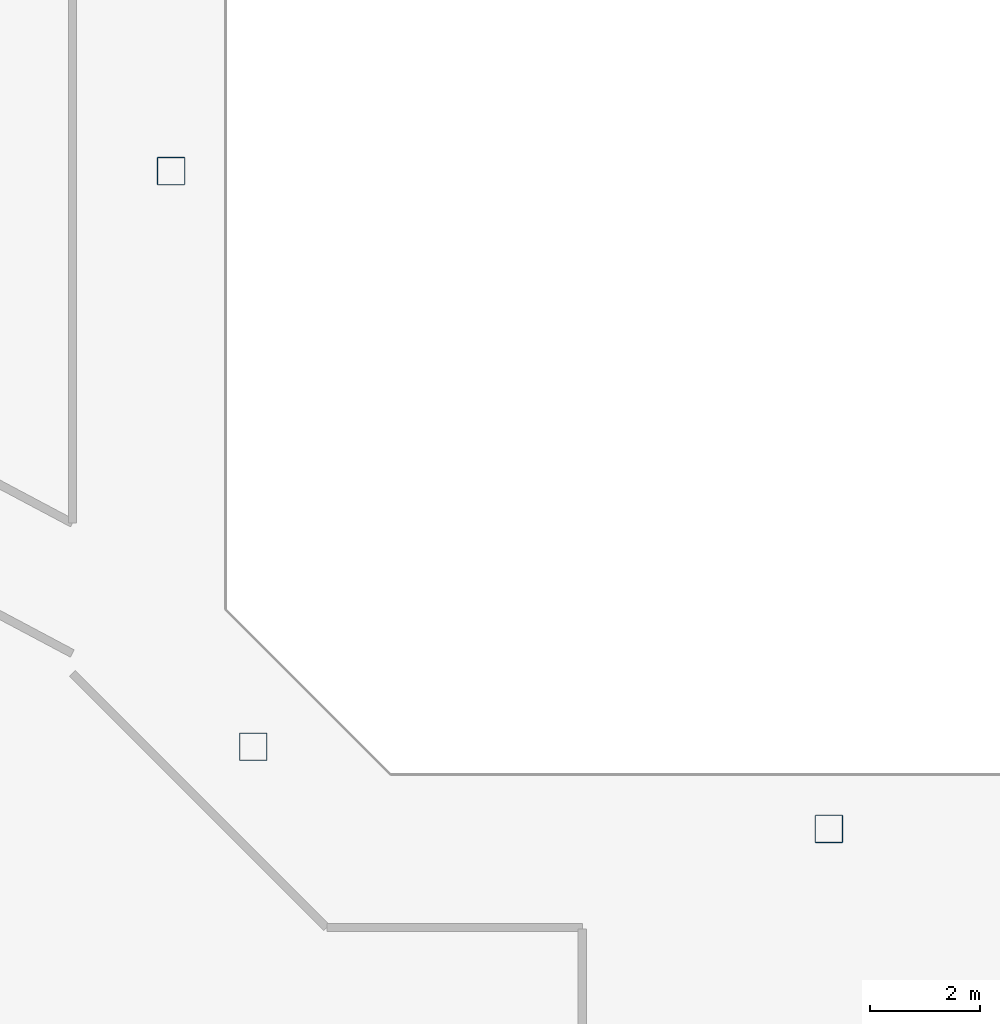
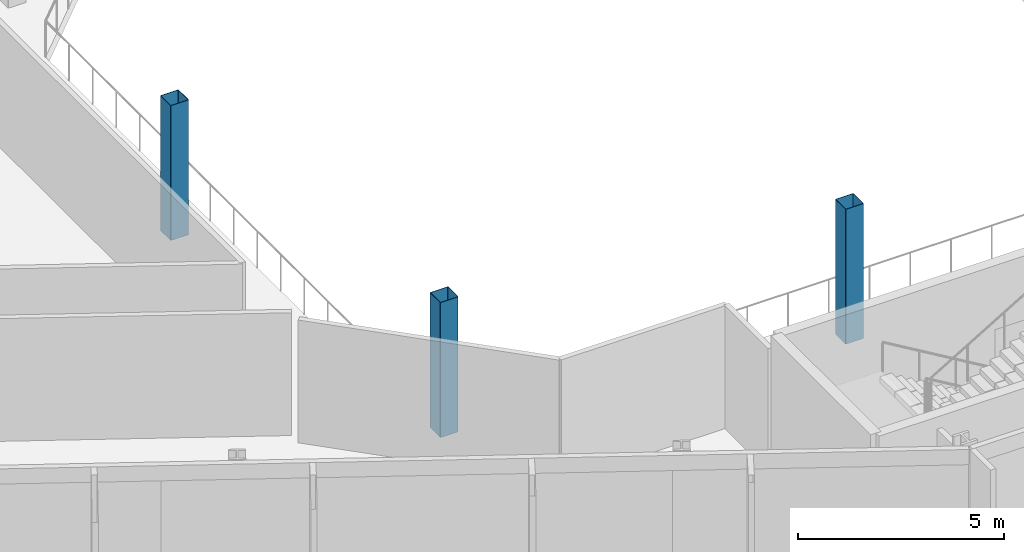
# One storey, part 2 of 28: 3 columns.
"""IFC4 building model written with IfcOpenShell, lengths in metres."""

from ifc_helpers import new_model, si_unit, direction, frame, origin, origin_2d, place, context, subcontext, project, spatial, hollow_rectangle, extrude, material, material_profile, profile_set, type_object, element, save


model = new_model("IFC4")

# Units and contexts
model_context = context("Model", 3, precision=1e-05, world=origin(), true_north=direction((0.0, 1.0)))
body_context = subcontext(model_context, "Body", "Model", "MODEL_VIEW")
ifc_project = project(units=[si_unit("LENGTHUNIT", "METRE"), si_unit("AREAUNIT", "SQUARE_METRE"), si_unit("VOLUMEUNIT", "CUBIC_METRE"), si_unit("PLANEANGLEUNIT", "RADIAN"), si_unit("MASSUNIT", "GRAM", prefix="KILO")], contexts=[model_context])

# Site, building, storey
site_placement = place(None, origin())
site = spatial("IfcSite", under=ifc_project, at=site_placement, CompositionType="ELEMENT")
building_placement = place(site_placement, origin())
building = spatial("IfcBuilding", under=site, at=building_placement, Name="Cormorant Relay Tower", CompositionType="ELEMENT")
storey_placement = place(building_placement, frame((0.0, 0.0, 134.199951171875)))
storey = spatial("IfcBuildingStorey", under=building, at=storey_placement, Name="L27", CompositionType="ELEMENT", Elevation=134.199951171875)

# Columns
ifc_material = material(Name="Steel ASTM A500 Grade C (Fy 345 MPa)", Category="steel")
ifc_material_profile = material_profile(ifc_material, hollow_rectangle(XDim=0.508056640625, YDim=0.508056640625, WallThickness=0.01171875, InnerFilletRadius=0.005859375, OuterFilletRadius=0.017822265625, at=origin_2d()), Name="HSS508x508x12")
ifc_profile_set = profile_set([ifc_material_profile], Name="Steel ASTM A500 Grade C (Fy 345 MPa)")
column_type = type_object("IfcColumnType", Name="Column HSS508x508x12", PredefinedType="COLUMN", material=ifc_profile_set)
for number, where, z_axis, x_axis, name in (
    (1, (0.0, -12.0, 0.0), (0.0, 0.0, 1.0), (1.0, 0.0, 0.0), "Column L27-007"),
    (2, (-10.5, -10.5, 0.0), (0.0, 0.0, 1.0), (1.0, 0.0, 0.0), "Column L27-009"),
    (3, (-12.0, 0.0, 0.0), (0.0, 0.0, 1.0), (1.0, 0.0, 0.0), "Column L27-015"),
):
    element("IfcColumn", number, at=place(storey_placement, frame(where, z_axis=z_axis, x_axis=x_axis)), inside=storey, type_object=column_type, Name=name, PredefinedType="COLUMN", context=body_context, shape_type="SweptSolid", body=[
        extrude(hollow_rectangle(XDim=0.508056640625, YDim=0.508056640625, WallThickness=0.01171875, InnerFilletRadius=0.005859375, OuterFilletRadius=0.017822265625, at=origin_2d()), origin(), (0.0, 0.0, 1.0), 4.0),
    ])

save(model, "model.ifc")
